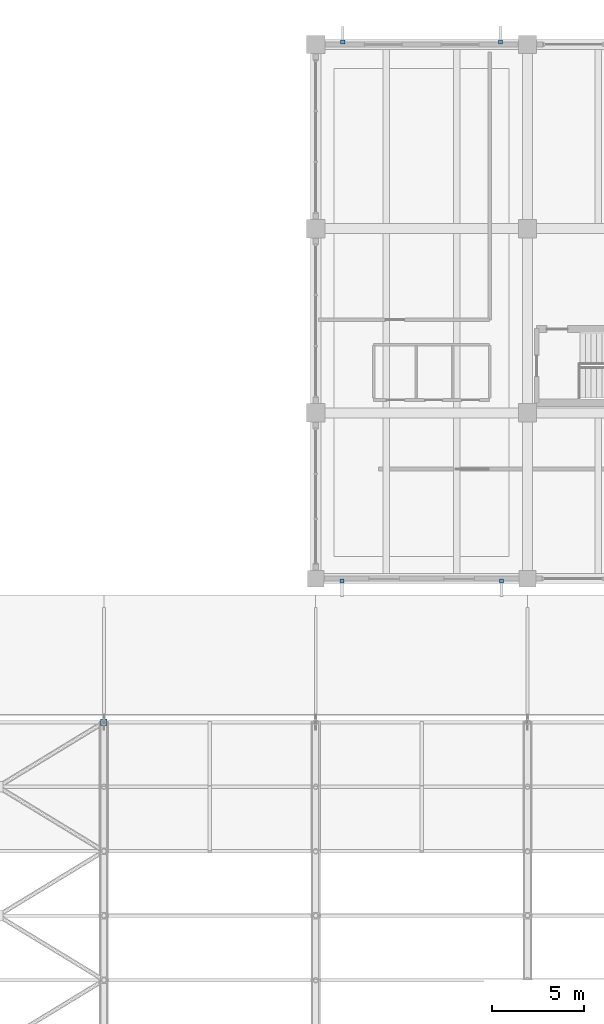
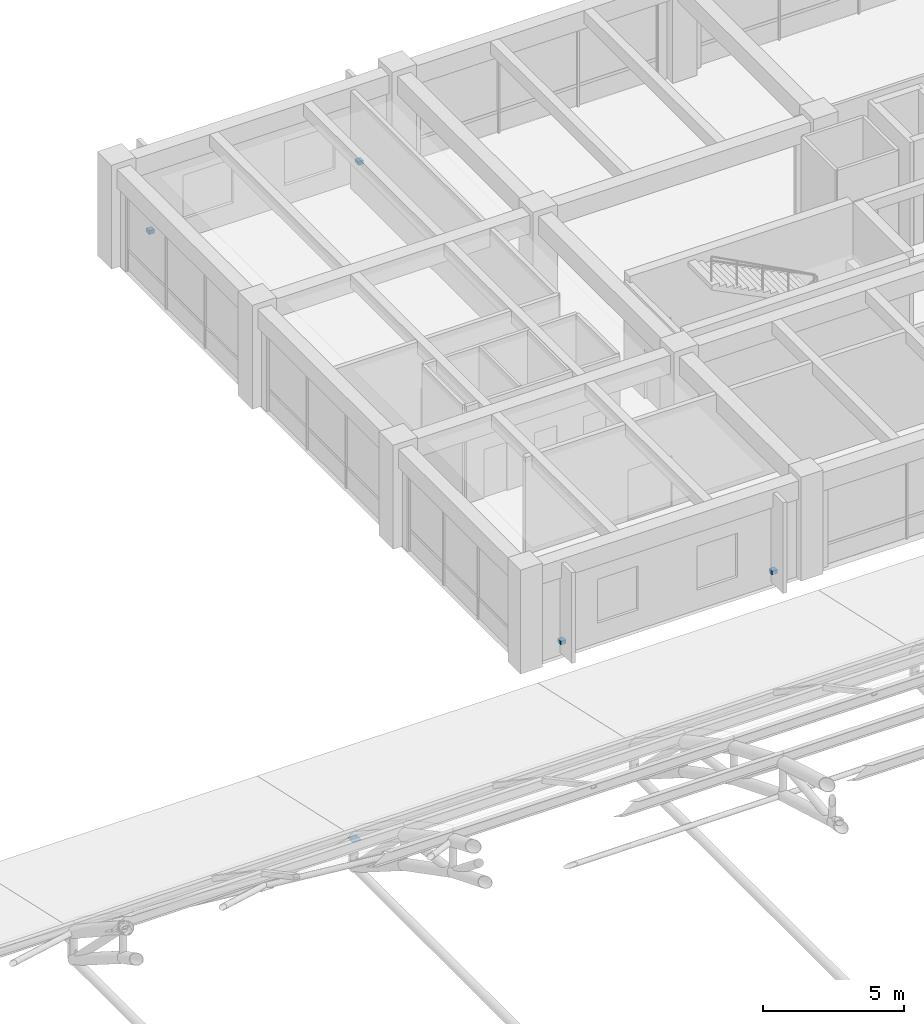
# One storey, part 149 of 154: 5 discrete accessories.
"""IFC4 building model written with IfcOpenShell, lengths in metres."""

import ifcopenshell
import ifcopenshell.guid

model = None  # the IFC model being written
_history = None  # IfcOwnerHistory: only IFC2X3 demands one
_inside = {}  # id of a spatial element -> (the spatial element, [elements in it])
_under = {}  # id of a project, library or spatial element -> (it, [spatial elements below it])
_declared = {}  # id of a project -> (the project, [libraries it declares])
_typed = {}  # id of a type object -> (the type object, [elements of that type])
_made_of = {}  # id of a material, layer set ... -> (it, [elements and type objects made of it])


def new_model(schema):
    """Start an empty IFC model of exactly this schema.

    Asked for "IFC4X3", IfcOpenShell would pick the latest addendum, in which some entities
    have other attributes; the version numbers below select the first issue.
    IFC2X3 requires an IfcOwnerHistory on every rooted entity: one is made here for all.
    """
    global model, _history
    if schema == "IFC4X3":
        model = ifcopenshell.file(schema_version=(4, 3, 0, 0))
    else:
        model = ifcopenshell.file(schema=schema)
    _inside.clear()
    _under.clear()
    _declared.clear()
    _typed.clear()
    _made_of.clear()
    _history = None
    if model.schema == "IFC2X3":
        org = make("IfcOrganization", Name="unknown")
        user = make(
            "IfcPersonAndOrganization",
            ThePerson=make("IfcPerson", FamilyName="unknown"),
            TheOrganization=org,
        )
        app = make(
            "IfcApplication",
            ApplicationDeveloper=org,
            Version="unknown",
            ApplicationFullName="unknown",
            ApplicationIdentifier="unknown",
        )
        _history = make(
            "IfcOwnerHistory",
            OwningUser=user,
            OwningApplication=app,
            ChangeAction="ADDED",
            CreationDate=0,
        )
    return model


def make(cls, **values):
    """One entity of the class cls with the attributes given. An attribute that is None is left unset."""
    return model.create_entity(
        cls, **{name: value for name, value in values.items() if value is not None}
    )


def rooted(cls, **values):
    """An entity with a GlobalId (a new one), such as an element, a storey or a relation."""
    return make(cls, GlobalId=ifcopenshell.guid.new(), OwnerHistory=_history, **values)


def si_unit(unit_type, name, prefix=None):
    """IfcSIUnit, for example si_unit("LENGTHUNIT", "METRE", prefix="MILLI")."""
    return make("IfcSIUnit", UnitType=unit_type, Prefix=prefix, Name=name)


def assignment(units):
    """IfcUnitAssignment: the units of a project."""
    return None if units is None else make("IfcUnitAssignment", Units=units)


def point(xyz):
    """IfcCartesianPoint."""
    return None if xyz is None else make("IfcCartesianPoint", Coordinates=xyz)


def direction(xyz):
    """IfcDirection."""
    return None if xyz is None else make("IfcDirection", DirectionRatios=xyz)


def frame(location, z_axis=None, x_axis=None):
    """IfcAxis2Placement3D, a coordinate frame: its origin and axes. An axis left out is left unset."""
    return make(
        "IfcAxis2Placement3D",
        Location=point(location),
        Axis=direction(z_axis),
        RefDirection=direction(x_axis),
    )


def frame_2d(location, x_axis=None):
    """IfcAxis2Placement2D, a coordinate frame in the plane: its origin and x axis."""
    return make(
        "IfcAxis2Placement2D", Location=point(location), RefDirection=direction(x_axis)
    )


def origin():
    """The frame at (0, 0, 0) with its axes left unset."""
    return frame((0.0, 0.0, 0.0))


def origin_2d():
    """The frame at (0, 0) in the plane with its x axis left unset."""
    return frame_2d((0.0, 0.0))


def place(relative_to, where):
    """IfcLocalPlacement: puts the frame where relative to a parent placement (None: the world)."""
    return make(
        "IfcLocalPlacement", PlacementRelTo=relative_to, RelativePlacement=where
    )


def context(
    kind, dimensions, precision=None, world=None, true_north=None, identifier=None
):
    """IfcGeometricRepresentationContext, for example the 3D "Model" context."""
    return make(
        "IfcGeometricRepresentationContext",
        ContextIdentifier=identifier,
        ContextType=kind,
        CoordinateSpaceDimension=dimensions,
        Precision=precision,
        WorldCoordinateSystem=world,
        TrueNorth=true_north,
    )


def subcontext(parent, identifier, kind, view, scale=None):
    """IfcGeometricRepresentationSubContext, for example "Body" below "Model"."""
    return make(
        "IfcGeometricRepresentationSubContext",
        ContextIdentifier=identifier,
        ContextType=kind,
        ParentContext=parent,
        TargetScale=scale,
        TargetView=view,
    )


def project(units=None, contexts=None):
    """IfcProject with its units and contexts."""
    return rooted(
        "IfcProject",
        Name="project",
        RepresentationContexts=contexts,
        UnitsInContext=assignment(units),
    )


def spatial(cls, under=None, at=None, **own):
    """A site, building, storey or space (cls), placed at a placement, below another one or the project."""
    s = rooted(cls, ObjectPlacement=at, **own)
    if under is not None:
        _under.setdefault(under.id(), (under, []))[1].append(s)
    return s


def profile(cls, at=None, kind="AREA", **sizes):
    """A parametric profile (cls). Its sizes go by their IFC names, for example OverallWidth=200.0."""
    return make(cls, ProfileType=kind, Position=at, **sizes)


def rectangle(**sizes):
    """IfcRectangleProfileDef."""
    return profile("IfcRectangleProfileDef", **sizes)


def extrude(swept, where, along, depth):
    """IfcExtrudedAreaSolid: the profile swept, set in the frame where, extruded along a direction by depth."""
    return make(
        "IfcExtrudedAreaSolid",
        SweptArea=swept,
        Position=where,
        ExtrudedDirection=direction(along),
        Depth=depth,
    )


def shape(context_of_items, identifier, shape_type, items):
    """IfcShapeRepresentation: the items that make up one representation, for example the "Body"."""
    return make(
        "IfcShapeRepresentation",
        ContextOfItems=context_of_items,
        RepresentationIdentifier=identifier,
        RepresentationType=shape_type,
        Items=items,
    )


def material(Name=None, Category=None):
    """IfcMaterial."""
    return make("IfcMaterial", Name=Name, Category=Category)


def made_of(thing, what):
    """Note that an element or type object is made of a material, layer set ...; save() writes the relation."""
    if what is not None:
        _made_of.setdefault(what.id(), (what, []))[1].append(thing)
    return thing


def type_object(cls, material=None, **own):
    """A type object (cls), such as IfcWallType, which elements share."""
    return made_of(rooted(cls, **own), material)


def element(
    cls,
    number,
    at=None,
    inside=None,
    cuts=None,
    type_object=None,
    material=None,
    context=None,
    identifier="Body",
    shape_type=None,
    held_by="IfcProductDefinitionShape",
    body=None,
    shapes=None,
    **own,
):
    """One element of the class cls, such as IfcWall. Its Tag is "e" and its number.

    at: its placement. inside: the storey or other place that contains it. cuts: it is an
    opening in that element (IfcRelVoidsElement). A single representation is given by context,
    identifier, shape_type and body (its items); several are given by shapes. held_by: the class
    of the entity that holds the representations. save() writes the other relations.
    """
    e = rooted(cls, Tag="e%d" % number, ObjectPlacement=at, **own)
    if body is not None:
        shapes = [shape(context, identifier, shape_type, body)]
    if shapes is not None:
        e.Representation = make(held_by, Representations=shapes)
    if inside is not None:
        _inside.setdefault(inside.id(), (inside, []))[1].append(e)
    if cuts is not None:
        rooted(
            "IfcRelVoidsElement", RelatingBuildingElement=cuts, RelatedOpeningElement=e
        )
    if type_object is not None:
        _typed.setdefault(type_object.id(), (type_object, []))[1].append(e)
    return made_of(e, material)


def aggregate(whole, parts):
    """IfcRelAggregates: a whole, such as a stair, and the parts it consists of."""
    return rooted("IfcRelAggregates", RelatingObject=whole, RelatedObjects=parts)


def save(model, path):
    """Write the relations noted so far, then the file.

    IfcRelAggregates (storeys below a building ...), IfcRelContainedInSpatialStructure (elements
    in a storey), IfcRelDefinesByType, IfcRelAssociatesMaterial and IfcRelDeclares: one each for
    every whole, place, type object, material and project.
    """
    for whole, parts in _under.values():
        aggregate(whole, parts)
    for where, things in _inside.values():
        rooted(
            "IfcRelContainedInSpatialStructure",
            RelatedElements=things,
            RelatingStructure=where,
        )
    for kind, things in _typed.values():
        rooted("IfcRelDefinesByType", RelatedObjects=things, RelatingType=kind)
    for what, things in _made_of.values():
        rooted("IfcRelAssociatesMaterial", RelatedObjects=things, RelatingMaterial=what)
    for by, libraries in _declared.values():
        rooted("IfcRelDeclares", RelatingContext=by, RelatedDefinitions=libraries)
    model.write(path)


model = new_model("IFC4")

# Units and contexts
model_context = context("Model", 3, precision=1e-05, world=origin(), true_north=direction((0.0, 1.0)))
body_context = subcontext(model_context, "Body", "Model", "MODEL_VIEW")
ifc_project = project(units=[si_unit("LENGTHUNIT", "METRE"), si_unit("AREAUNIT", "SQUARE_METRE"), si_unit("VOLUMEUNIT", "CUBIC_METRE"), si_unit("PLANEANGLEUNIT", "RADIAN"), si_unit("MASSUNIT", "GRAM", prefix="KILO")], contexts=[model_context])

# Site, building, storey
site_placement = place(None, origin())
site = spatial("IfcSite", under=ifc_project, at=site_placement, CompositionType="ELEMENT")
building_placement = place(site_placement, origin())
building = spatial("IfcBuilding", under=site, at=building_placement, Name="Ologun Quay Terminus", CompositionType="ELEMENT")
storey_placement = place(building_placement, frame((0.0, 0.0, 13.800048828125)))
storey = spatial("IfcBuildingStorey", under=building, at=storey_placement, Name="L03", CompositionType="ELEMENT", Elevation=13.800048828125)

# Discrete accessories
ifc_material_1 = material(Name="Steel S355", Category="steel")
discrete_accessory_type_1 = type_object("IfcDiscreteAccessoryType", Name="Brace & Strut End Gusset Connection Plate 360x360x20", PredefinedType="BRACKET", material=ifc_material_1)
discrete_accessory_placement = place(storey_placement, frame((103.5, 78.0, 1.18994140625), z_axis=(0.0, 0.0, 1.0), x_axis=(1.0, 0.0, 0.0)))
element("IfcDiscreteAccessory", 1, at=discrete_accessory_placement, inside=storey, type_object=discrete_accessory_type_1, Name="GUS-END Wind Brace End Gusset B9-K10-2", PredefinedType="BRACKET", context=body_context, shape_type="SweptSolid", body=[
    extrude(rectangle(XDim=0.360107421875, YDim=0.360107421875, at=origin_2d()), origin(), (0.0, 0.0, 1.0), 0.02001953125),
])
ifc_material_2 = material(Name="Steel S355", Category="steel")
discrete_accessory_type_2 = type_object("IfcDiscreteAccessoryType", Name="Solar Fin Stainless Support Bracket", PredefinedType="BRACKET", material=ifc_material_2)
for number, where, z_axis, x_axis, name in (
    (2, (116.419921875, 85.659912109375, 0.52001953125), (0.0, 0.0, 1.0), (1.0, 0.0, 0.0), "BRK-01 Solar Fin Bracket WEW-EW-L03-1-1"),
    (3, (125.080078125, 85.659912109375, 0.52001953125), (0.0, 0.0, 1.0), (1.0, 0.0, 0.0), "BRK-01 Solar Fin Bracket WEW-EW-L03-1-2"),
    (4, (116.469970703125, 114.93994140625, 0.52001953125), (0.0, 0.0, 1.0), (1.0, 0.0, 0.0), "BRK-01 Solar Fin Bracket WEW-EW-L03-9-1"),
    (5, (125.030029296875, 114.93994140625, 0.52001953125), (0.0, 0.0, 1.0), (1.0, 0.0, 0.0), "BRK-01 Solar Fin Bracket WEW-EW-L03-9-2"),
):
    element("IfcDiscreteAccessory", number, at=place(storey_placement, frame(where, z_axis=z_axis, x_axis=x_axis)), inside=storey, type_object=discrete_accessory_type_2, Name=name, PredefinedType="BRACKET", context=body_context, shape_type="SweptSolid", body=[
        extrude(rectangle(XDim=0.219970703125, YDim=0.219970703125, at=origin_2d()), origin(), (0.0, 0.0, 1.0), 0.159912109375),
    ])

save(model, "model.ifc")
